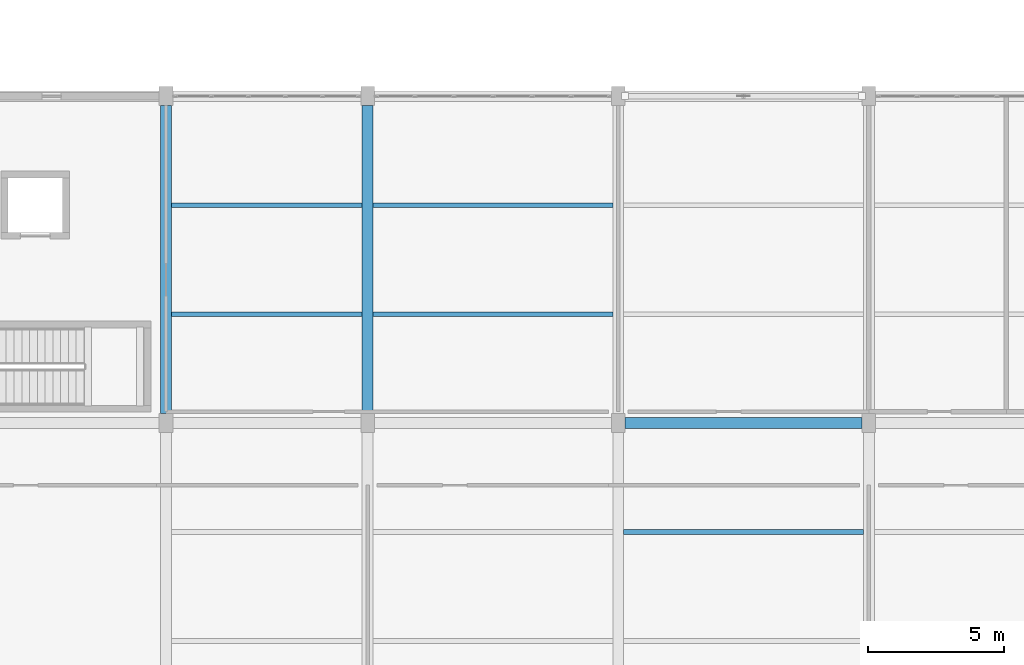
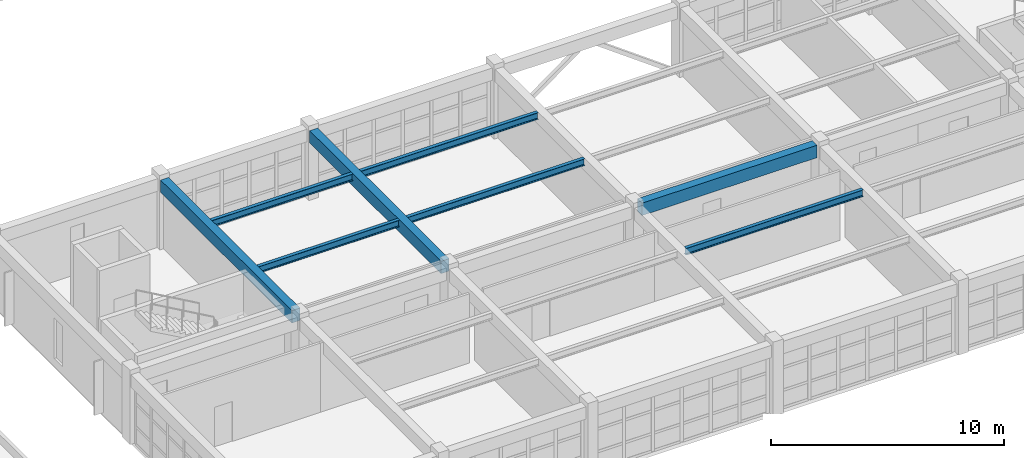
# One storey, part 25 of 150: 8 beams.
"""IFC4 building model written with IfcOpenShell, lengths in metres."""

import ifcopenshell
import ifcopenshell.guid

model = None  # the IFC model being written
_history = None  # IfcOwnerHistory: only IFC2X3 demands one
_inside = {}  # id of a spatial element -> (the spatial element, [elements in it])
_under = {}  # id of a project, library or spatial element -> (it, [spatial elements below it])
_declared = {}  # id of a project -> (the project, [libraries it declares])
_typed = {}  # id of a type object -> (the type object, [elements of that type])
_made_of = {}  # id of a material, layer set ... -> (it, [elements and type objects made of it])


def new_model(schema):
    """Start an empty IFC model of exactly this schema.

    Asked for "IFC4X3", IfcOpenShell would pick the latest addendum, in which some entities
    have other attributes; the version numbers below select the first issue.
    IFC2X3 requires an IfcOwnerHistory on every rooted entity: one is made here for all.
    """
    global model, _history
    if schema == "IFC4X3":
        model = ifcopenshell.file(schema_version=(4, 3, 0, 0))
    else:
        model = ifcopenshell.file(schema=schema)
    _inside.clear()
    _under.clear()
    _declared.clear()
    _typed.clear()
    _made_of.clear()
    _history = None
    if model.schema == "IFC2X3":
        org = make("IfcOrganization", Name="unknown")
        user = make(
            "IfcPersonAndOrganization",
            ThePerson=make("IfcPerson", FamilyName="unknown"),
            TheOrganization=org,
        )
        app = make(
            "IfcApplication",
            ApplicationDeveloper=org,
            Version="unknown",
            ApplicationFullName="unknown",
            ApplicationIdentifier="unknown",
        )
        _history = make(
            "IfcOwnerHistory",
            OwningUser=user,
            OwningApplication=app,
            ChangeAction="ADDED",
            CreationDate=0,
        )
    return model


def make(cls, **values):
    """One entity of the class cls with the attributes given. An attribute that is None is left unset."""
    return model.create_entity(
        cls, **{name: value for name, value in values.items() if value is not None}
    )


def rooted(cls, **values):
    """An entity with a GlobalId (a new one), such as an element, a storey or a relation."""
    return make(cls, GlobalId=ifcopenshell.guid.new(), OwnerHistory=_history, **values)


def si_unit(unit_type, name, prefix=None):
    """IfcSIUnit, for example si_unit("LENGTHUNIT", "METRE", prefix="MILLI")."""
    return make("IfcSIUnit", UnitType=unit_type, Prefix=prefix, Name=name)


def assignment(units):
    """IfcUnitAssignment: the units of a project."""
    return None if units is None else make("IfcUnitAssignment", Units=units)


def point(xyz):
    """IfcCartesianPoint."""
    return None if xyz is None else make("IfcCartesianPoint", Coordinates=xyz)


def direction(xyz):
    """IfcDirection."""
    return None if xyz is None else make("IfcDirection", DirectionRatios=xyz)


def frame(location, z_axis=None, x_axis=None):
    """IfcAxis2Placement3D, a coordinate frame: its origin and axes. An axis left out is left unset."""
    return make(
        "IfcAxis2Placement3D",
        Location=point(location),
        Axis=direction(z_axis),
        RefDirection=direction(x_axis),
    )


def frame_2d(location, x_axis=None):
    """IfcAxis2Placement2D, a coordinate frame in the plane: its origin and x axis."""
    return make(
        "IfcAxis2Placement2D", Location=point(location), RefDirection=direction(x_axis)
    )


def origin():
    """The frame at (0, 0, 0) with its axes left unset."""
    return frame((0.0, 0.0, 0.0))


def origin_2d():
    """The frame at (0, 0) in the plane with its x axis left unset."""
    return frame_2d((0.0, 0.0))


def place(relative_to, where):
    """IfcLocalPlacement: puts the frame where relative to a parent placement (None: the world)."""
    return make(
        "IfcLocalPlacement", PlacementRelTo=relative_to, RelativePlacement=where
    )


def context(
    kind, dimensions, precision=None, world=None, true_north=None, identifier=None
):
    """IfcGeometricRepresentationContext, for example the 3D "Model" context."""
    return make(
        "IfcGeometricRepresentationContext",
        ContextIdentifier=identifier,
        ContextType=kind,
        CoordinateSpaceDimension=dimensions,
        Precision=precision,
        WorldCoordinateSystem=world,
        TrueNorth=true_north,
    )


def subcontext(parent, identifier, kind, view, scale=None):
    """IfcGeometricRepresentationSubContext, for example "Body" below "Model"."""
    return make(
        "IfcGeometricRepresentationSubContext",
        ContextIdentifier=identifier,
        ContextType=kind,
        ParentContext=parent,
        TargetScale=scale,
        TargetView=view,
    )


def project(units=None, contexts=None):
    """IfcProject with its units and contexts."""
    return rooted(
        "IfcProject",
        Name="project",
        RepresentationContexts=contexts,
        UnitsInContext=assignment(units),
    )


def spatial(cls, under=None, at=None, **own):
    """A site, building, storey or space (cls), placed at a placement, below another one or the project."""
    s = rooted(cls, ObjectPlacement=at, **own)
    if under is not None:
        _under.setdefault(under.id(), (under, []))[1].append(s)
    return s


def profile(cls, at=None, kind="AREA", **sizes):
    """A parametric profile (cls). Its sizes go by their IFC names, for example OverallWidth=200.0."""
    return make(cls, ProfileType=kind, Position=at, **sizes)


def rectangle(**sizes):
    """IfcRectangleProfileDef."""
    return profile("IfcRectangleProfileDef", **sizes)


def i_section(**sizes):
    """IfcIShapeProfileDef."""
    return profile("IfcIShapeProfileDef", **sizes)


def extrude(swept, where, along, depth):
    """IfcExtrudedAreaSolid: the profile swept, set in the frame where, extruded along a direction by depth."""
    return make(
        "IfcExtrudedAreaSolid",
        SweptArea=swept,
        Position=where,
        ExtrudedDirection=direction(along),
        Depth=depth,
    )


def shape(context_of_items, identifier, shape_type, items):
    """IfcShapeRepresentation: the items that make up one representation, for example the "Body"."""
    return make(
        "IfcShapeRepresentation",
        ContextOfItems=context_of_items,
        RepresentationIdentifier=identifier,
        RepresentationType=shape_type,
        Items=items,
    )


def material(Name=None, Category=None):
    """IfcMaterial."""
    return make("IfcMaterial", Name=Name, Category=Category)


def material_profile(
    of_material, cross_section, Name=None, Category=None, Priority=None
):
    """IfcMaterialProfile: a cross section and its material."""
    return make(
        "IfcMaterialProfile",
        Name=Name,
        Material=of_material,
        Profile=cross_section,
        Priority=Priority,
        Category=Category,
    )


def profile_set(profiles, Name=None, composite=None):
    """IfcMaterialProfileSet."""
    return make(
        "IfcMaterialProfileSet",
        Name=Name,
        MaterialProfiles=profiles,
        CompositeProfile=composite,
    )


def made_of(thing, what):
    """Note that an element or type object is made of a material, layer set ...; save() writes the relation."""
    if what is not None:
        _made_of.setdefault(what.id(), (what, []))[1].append(thing)
    return thing


def type_object(cls, material=None, **own):
    """A type object (cls), such as IfcWallType, which elements share."""
    return made_of(rooted(cls, **own), material)


def element(
    cls,
    number,
    at=None,
    inside=None,
    cuts=None,
    type_object=None,
    material=None,
    context=None,
    identifier="Body",
    shape_type=None,
    held_by="IfcProductDefinitionShape",
    body=None,
    shapes=None,
    **own,
):
    """One element of the class cls, such as IfcWall. Its Tag is "e" and its number.

    at: its placement. inside: the storey or other place that contains it. cuts: it is an
    opening in that element (IfcRelVoidsElement). A single representation is given by context,
    identifier, shape_type and body (its items); several are given by shapes. held_by: the class
    of the entity that holds the representations. save() writes the other relations.
    """
    e = rooted(cls, Tag="e%d" % number, ObjectPlacement=at, **own)
    if body is not None:
        shapes = [shape(context, identifier, shape_type, body)]
    if shapes is not None:
        e.Representation = make(held_by, Representations=shapes)
    if inside is not None:
        _inside.setdefault(inside.id(), (inside, []))[1].append(e)
    if cuts is not None:
        rooted(
            "IfcRelVoidsElement", RelatingBuildingElement=cuts, RelatedOpeningElement=e
        )
    if type_object is not None:
        _typed.setdefault(type_object.id(), (type_object, []))[1].append(e)
    return made_of(e, material)


def aggregate(whole, parts):
    """IfcRelAggregates: a whole, such as a stair, and the parts it consists of."""
    return rooted("IfcRelAggregates", RelatingObject=whole, RelatedObjects=parts)


def save(model, path):
    """Write the relations noted so far, then the file.

    IfcRelAggregates (storeys below a building ...), IfcRelContainedInSpatialStructure (elements
    in a storey), IfcRelDefinesByType, IfcRelAssociatesMaterial and IfcRelDeclares: one each for
    every whole, place, type object, material and project.
    """
    for whole, parts in _under.values():
        aggregate(whole, parts)
    for where, things in _inside.values():
        rooted(
            "IfcRelContainedInSpatialStructure",
            RelatedElements=things,
            RelatingStructure=where,
        )
    for kind, things in _typed.values():
        rooted("IfcRelDefinesByType", RelatedObjects=things, RelatingType=kind)
    for what, things in _made_of.values():
        rooted("IfcRelAssociatesMaterial", RelatedObjects=things, RelatingMaterial=what)
    for by, libraries in _declared.values():
        rooted("IfcRelDeclares", RelatingContext=by, RelatedDefinitions=libraries)
    model.write(path)


model = new_model("IFC4")

# Units and contexts
model_context = context("Model", 3, precision=1e-05, world=origin(), true_north=direction((0.0, 1.0)))
body_context = subcontext(model_context, "Body", "Model", "MODEL_VIEW")
ifc_project = project(units=[si_unit("LENGTHUNIT", "METRE"), si_unit("AREAUNIT", "SQUARE_METRE"), si_unit("VOLUMEUNIT", "CUBIC_METRE"), si_unit("PLANEANGLEUNIT", "RADIAN"), si_unit("MASSUNIT", "GRAM", prefix="KILO")], contexts=[model_context])

# Site, building, storey
site_placement = place(None, origin())
site = spatial("IfcSite", under=ifc_project, at=site_placement, CompositionType="ELEMENT")
building_placement = place(site_placement, origin())
building = spatial("IfcBuilding", under=site, at=building_placement, Name="Kestramere Prow Commons", CompositionType="ELEMENT")
storey_placement = place(building_placement, frame((0.0, 0.0, 4.5)))
storey = spatial("IfcBuildingStorey", under=building, at=storey_placement, Name="L01", CompositionType="ELEMENT", Elevation=4.5)

# Beams
ifc_material_1 = material(Name="Precast concrete C40/50", Category="concrete")
ifc_material_profile_1 = material_profile(ifc_material_1, rectangle(XDim=0.39990234375, YDim=0.64990234375, at=origin_2d()), Name="PC-BM 400x650")
ifc_profile_set_1 = profile_set([ifc_material_profile_1], Name="Precast concrete C40/50")
beam_type_1 = type_object("IfcBeamType", Name="BM-MK-01 PC-BM 400x650", PredefinedType="BEAM", material=ifc_profile_set_1)
beam_placement = place(storey_placement, frame((85.25, 12.0, 3.324951171875), z_axis=(1.0, 0.0, 0.0), x_axis=(0.0, 1.0, 0.0)))
element("IfcBeam", 1, at=beam_placement, inside=storey, type_object=beam_type_1, Name="Market Spine L01 Beam X 2-4", PredefinedType="BEAM", context=body_context, shape_type="SweptSolid", body=[
    extrude(rectangle(XDim=0.39990234375, YDim=0.64990234375, at=origin_2d()), origin(), (0.0, 0.0, 1.0), 8.699951171875),
])
for number, where, z_axis, x_axis, name in (
    (2, (68.39990234375, 12.35009765625, 3.324951171875), (0.0, 1.0, 0.0), (-1.0, 0.0, 0.0), "Market Spine L01 Beam Y 2-2"),
    (3, (75.800048828125, 12.35009765625, 3.324951171875), (0.0, 1.0, 0.0), (-1.0, 0.0, 0.0), "Market Spine L01 Beam Y 3-2"),
):
    element("IfcBeam", number, at=place(storey_placement, frame(where, z_axis=z_axis, x_axis=x_axis)), inside=storey, type_object=beam_type_1, Name=name, PredefinedType="BEAM", context=body_context, shape_type="SweptSolid", body=[
        extrude(rectangle(XDim=0.39990234375, YDim=0.64990234375, at=origin_2d()), origin(), (0.0, 0.0, 1.0), 11.2998046875),
    ])
ifc_material_2 = material(Name="Steel S355JR", Category="steel")
ifc_material_profile_2 = material_profile(ifc_material_2, i_section(OverallWidth=0.17138671875, OverallDepth=0.35498046875, WebThickness=0.00732421875, FlangeThickness=0.011474609375, FilletRadius=0.01025390625, at=origin_2d()), Name="UB 356x171x51")
ifc_profile_set_2 = profile_set([ifc_material_profile_2], Name="Steel S355JR")
beam_type_2 = type_object("IfcBeamType", Name="JST-MK-01 UB 356x171x51", PredefinedType="JOIST", material=ifc_profile_set_2)
for number, where, z_axis, x_axis, name in (
    (4, (68.60009765625, 16.0, 3.472412109375), (1.0, 0.0, 0.0), (0.0, 1.0, 0.0), "Market Spine L01 Secondary Joist 2-16"),
    (5, (68.60009765625, 20.0, 3.472412109375), (1.0, 0.0, 0.0), (0.0, 1.0, 0.0), "Market Spine L01 Secondary Joist 2-20"),
):
    element("IfcBeam", number, at=place(storey_placement, frame(where, z_axis=z_axis, x_axis=x_axis)), inside=storey, type_object=beam_type_2, Name=name, PredefinedType="JOIST", context=body_context, shape_type="SweptSolid", body=[
        extrude(i_section(OverallWidth=0.17138671875, OverallDepth=0.35498046875, WebThickness=0.00732421875, FlangeThickness=0.011474609375, FilletRadius=0.01025390625, at=origin_2d()), origin(), (0.0, 0.0, 1.0), 7.0),
    ])
for number, where, z_axis, x_axis, name in (
    (6, (76.0, 16.0, 3.472412109375), (1.0, 0.0, 0.0), (0.0, 1.0, 0.0), "Market Spine L01 Secondary Joist 3-16"),
    (7, (76.0, 20.0, 3.472412109375), (1.0, 0.0, 0.0), (0.0, 1.0, 0.0), "Market Spine L01 Secondary Joist 3-20"),
    (8, (85.199951171875, 8.0, 3.472412109375), (1.0, 0.0, 0.0), (0.0, 1.0, 0.0), "Market Spine L01 Secondary Joist 4-8"),
):
    element("IfcBeam", number, at=place(storey_placement, frame(where, z_axis=z_axis, x_axis=x_axis)), inside=storey, type_object=beam_type_2, Name=name, PredefinedType="JOIST", context=body_context, shape_type="SweptSolid", body=[
        extrude(i_section(OverallWidth=0.17138671875, OverallDepth=0.35498046875, WebThickness=0.00732421875, FlangeThickness=0.011474609375, FilletRadius=0.01025390625, at=origin_2d()), origin(), (0.0, 0.0, 1.0), 8.800048828125),
    ])

save(model, "model.ifc")
